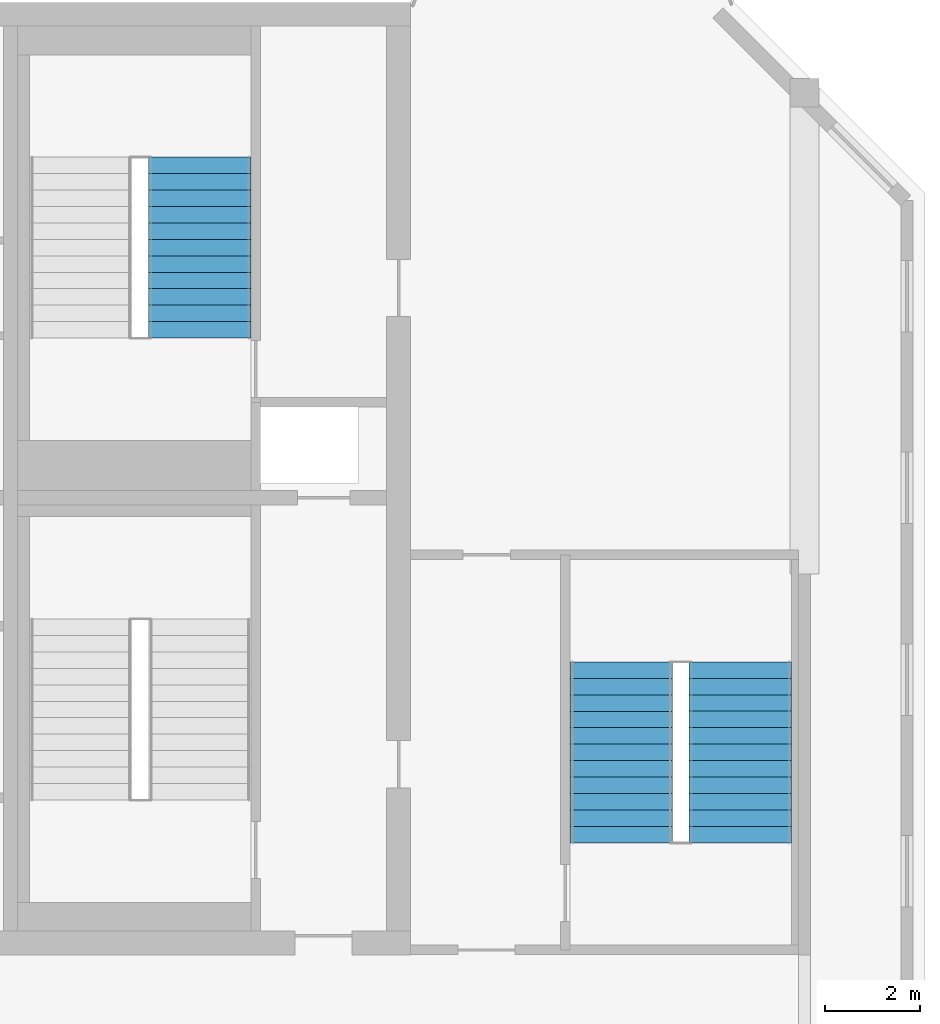
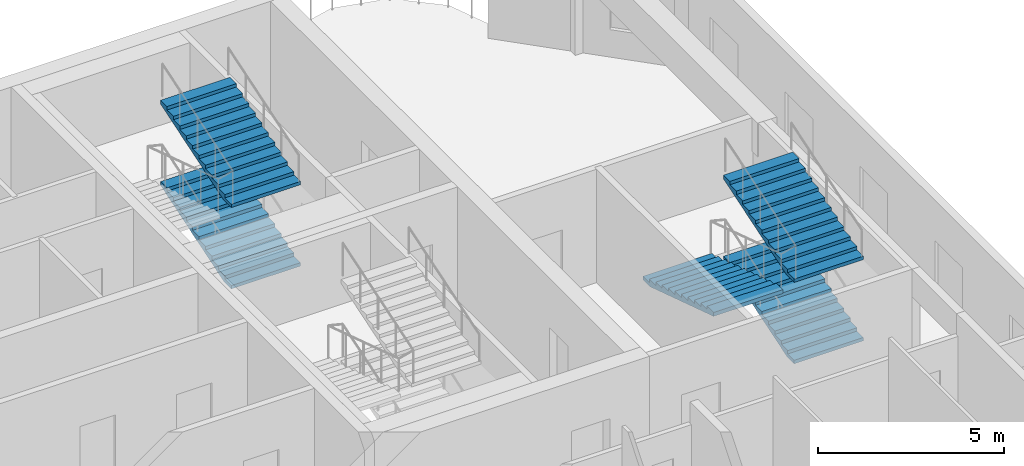
# One storey, part 9 of 12: 5 stair flights, 2 elements without a shape of their own.
"""IFC4 building model written with IfcOpenShell, lengths in metres."""

from ifc_helpers import new_model, si_unit, direction, frame, origin, place, context, subcontext, project, spatial, polyline, outline, extrude, source, transform, mapped, material, type_object, element, aggregate, save


model = new_model("IFC4")

# Units and contexts
model_context = context("Model", 3, precision=1e-05, world=origin(), true_north=direction((0.0, 1.0)))
body_context = subcontext(model_context, "Body", "Model", "MODEL_VIEW")
ifc_project = project(units=[si_unit("LENGTHUNIT", "METRE"), si_unit("AREAUNIT", "SQUARE_METRE"), si_unit("VOLUMEUNIT", "CUBIC_METRE"), si_unit("PLANEANGLEUNIT", "RADIAN"), si_unit("MASSUNIT", "GRAM", prefix="KILO")], contexts=[model_context])

# Site, building, storey
site_placement = place(None, origin())
site = spatial("IfcSite", under=ifc_project, at=site_placement, CompositionType="ELEMENT")
building_placement = place(site_placement, origin())
building = spatial("IfcBuilding", under=site, at=building_placement, Name="Vanashikhar Sky Hotel", CompositionType="ELEMENT")
storey_placement = place(building_placement, frame((0.0, 0.0, 289.699951171875)))
storey = spatial("IfcBuildingStorey", under=building, at=storey_placement, Name="L69", CompositionType="ELEMENT", Elevation=289.699951171875)

# Stair, stair flights
ifc_material = material(Name="Concrete M40", Category="concrete")
stair_type = type_object("IfcStairType", Name="Exit stair 2150", PredefinedType="DOUBLE_RETURN_STAIR", material=ifc_material)
stair_1_placement = place(storey_placement, origin())
stair_1 = element("IfcStair", 1, at=stair_1_placement, inside=storey, type_object=stair_type, Name="L69 Exit stair 4", PredefinedType="DOUBLE_RETURN_STAIR")
stair_flight_type = type_object("IfcStairFlightType", Name="Stair flight 2150", PredefinedType="STRAIGHT", material=ifc_material)
shared_shape = source(origin(), body_context, "Body", "SweptSolid", [
    extrude(outline(polyline([(0.0, 0.0), (0.0, 0.111083984375), (0.345458984375, 0.111083984375), (0.345458984375, 0.22216796875), (0.69091796875, 0.22216796875), (0.69091796875, 0.333251953125), (1.036376953125, 0.333251953125), (1.036376953125, 0.4443359375), (1.3818359375, 0.4443359375), (1.3818359375, 0.5556640625), (1.727294921875, 0.5556640625), (1.727294921875, 0.666748046875), (2.07275390625, 0.666748046875), (2.07275390625, 0.77783203125), (2.418212890625, 0.77783203125), (2.418212890625, 0.888916015625), (2.763671875, 0.888916015625), (2.763671875, 1.0), (3.109130859375, 1.0), (3.109130859375, 1.111083984375), (3.45458984375, 1.111083984375), (3.45458984375, 1.22216796875), (3.800048828125, 1.22216796875), (3.800048828125, 1.333251953125), (3.800048828125, 1.095947265625), (0.392333984375, 0.0), (0.0, 0.0)])), frame((0.0, 1.074951171875, 0.0), z_axis=(0.0, -1.0, 0.0), x_axis=(1.0, 0.0, 0.0)), (0.0, 0.0, 1.0), 2.14990234375),
])
stair_flight_1_placement = place(storey_placement, frame((82.52490234375, 24.35009765625, 0.0), z_axis=(0.0, 0.0, 1.0), x_axis=(0.0, 1.0, 0.0)))
stair_flight_1 = element("IfcStairFlight", 2, at=stair_flight_1_placement, type_object=stair_flight_type, Name="ST-E flight 1", NumberOfRisers=12, NumberOfTreads=11, PredefinedType="STRAIGHT", RiserHeight=0.111111111, TreadLength=0.345454545, context=body_context, shape_type="MappedRepresentation", body=[
    mapped(shared_shape, transform((0.0, 0.0, 0.0), scale=1.0)),
])
stair_flight_2_placement = place(storey_placement, frame((80.02490234375, 28.14990234375, 1.33349609375), z_axis=(0.0, 0.0, 1.0), x_axis=(0.0, -1.0, 0.0)))
stair_flight_2 = element("IfcStairFlight", 3, at=stair_flight_2_placement, type_object=stair_flight_type, Name="ST-E flight 2", NumberOfRisers=12, NumberOfTreads=11, PredefinedType="STRAIGHT", RiserHeight=0.111111111, TreadLength=0.345454545, context=body_context, shape_type="MappedRepresentation", body=[
    mapped(shared_shape, transform((0.0, 0.0, 0.0), scale=1.0)),
])
stair_flight_3_placement = place(storey_placement, frame((82.52490234375, 24.35009765625, 2.666748046875), z_axis=(0.0, 0.0, 1.0), x_axis=(0.0, 1.0, 0.0)))
stair_flight_3 = element("IfcStairFlight", 4, at=stair_flight_3_placement, type_object=stair_flight_type, Name="ST-E flight 3", NumberOfRisers=12, NumberOfTreads=11, PredefinedType="STRAIGHT", RiserHeight=0.111111111, TreadLength=0.345454545, context=body_context, shape_type="MappedRepresentation", body=[
    mapped(shared_shape, transform((0.0, 0.0, 0.0), scale=1.0)),
])
aggregate(stair_1, [stair_flight_1, stair_flight_2, stair_flight_3])

stair_2_placement = place(storey_placement, origin())
stair_2 = element("IfcStair", 5, at=stair_2_placement, inside=storey, type_object=stair_type, Name="L69 Exit stair 6", PredefinedType="DOUBLE_RETURN_STAIR")
stair_flight_4_placement = place(storey_placement, frame((71.175048828125, 34.949951171875, 0.0), z_axis=(0.0, 0.0, 1.0), x_axis=(0.0, 1.0, 0.0)))
stair_flight_4 = element("IfcStairFlight", 6, at=stair_flight_4_placement, type_object=stair_flight_type, Name="ST-C4 flight 1", NumberOfRisers=12, NumberOfTreads=11, PredefinedType="STRAIGHT", RiserHeight=0.111111111, TreadLength=0.345454545, context=body_context, shape_type="MappedRepresentation", body=[
    mapped(shared_shape, transform((0.0, 0.0, 0.0), scale=1.0)),
])
stair_flight_5_placement = place(storey_placement, frame((71.175048828125, 34.949951171875, 2.666748046875), z_axis=(0.0, 0.0, 1.0), x_axis=(0.0, 1.0, 0.0)))
stair_flight_5 = element("IfcStairFlight", 7, at=stair_flight_5_placement, type_object=stair_flight_type, Name="ST-C4 flight 3", NumberOfRisers=12, NumberOfTreads=11, PredefinedType="STRAIGHT", RiserHeight=0.111111111, TreadLength=0.345454545, context=body_context, shape_type="MappedRepresentation", body=[
    mapped(shared_shape, transform((0.0, 0.0, 0.0), scale=1.0)),
])
aggregate(stair_2, [stair_flight_4, stair_flight_5])

save(model, "model.ifc")
